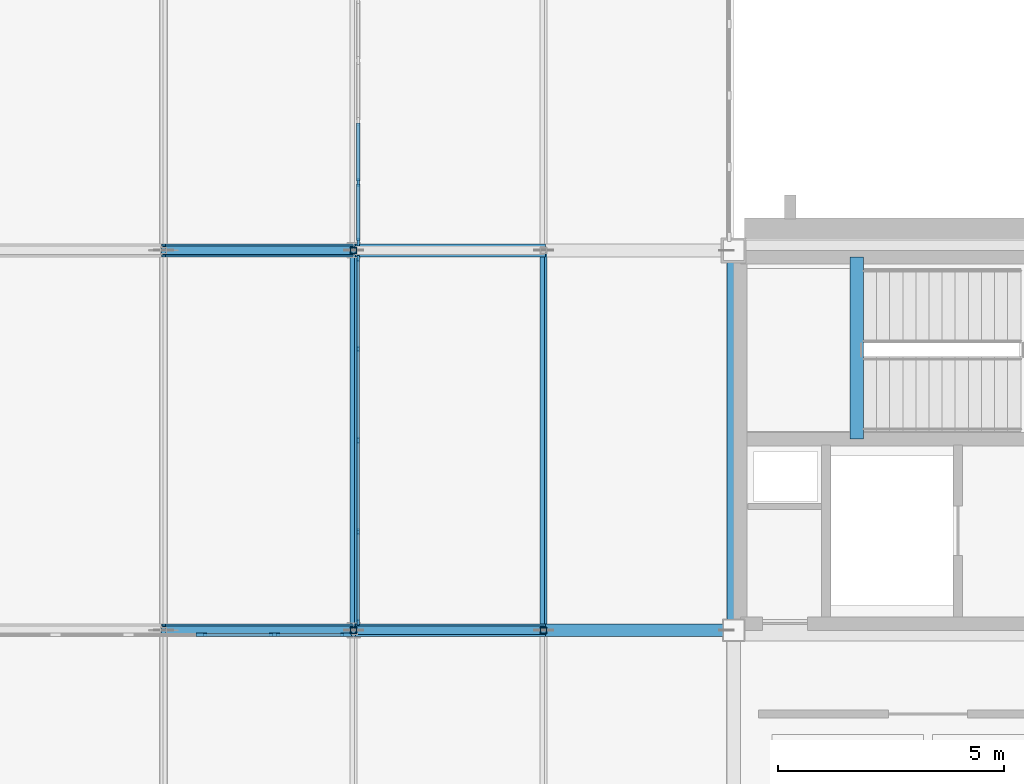
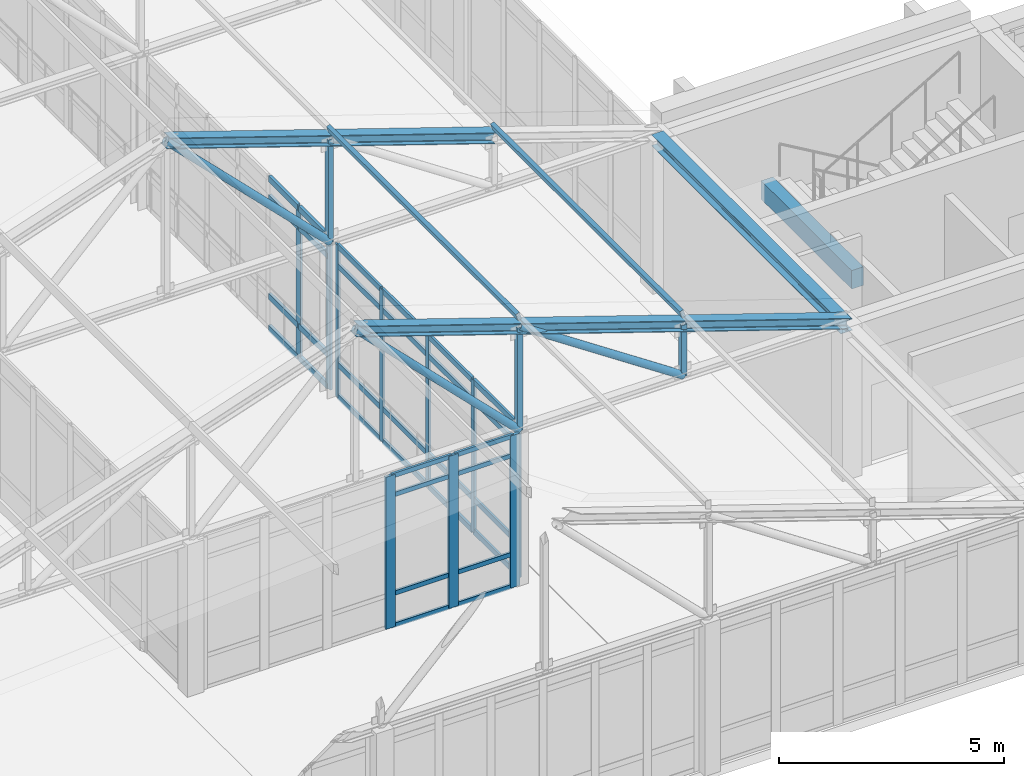
# One storey, part 57 of 192: 55 members, 2 beams, 3 elements without a shape of their own.
"""IFC4 building model written with IfcOpenShell, lengths in metres."""

from ifc_helpers import new_model, si_unit, direction, frame, origin, origin_2d, place, context, subcontext, project, spatial, rectangle, hollow_rectangle, hollow_circle, i_section, extrude, material, layer, layer_set, material_profile, profile_set, type_object, element, aggregate, save


model = new_model("IFC4")

# Units and contexts
model_context = context("Model", 3, precision=1e-05, world=origin(), true_north=direction((0.0, 1.0)))
body_context = subcontext(model_context, "Body", "Model", "MODEL_VIEW")
ifc_project = project(units=[si_unit("LENGTHUNIT", "METRE"), si_unit("AREAUNIT", "SQUARE_METRE"), si_unit("VOLUMEUNIT", "CUBIC_METRE"), si_unit("PLANEANGLEUNIT", "RADIAN"), si_unit("MASSUNIT", "GRAM", prefix="KILO")], contexts=[model_context])

# Site, building, storey
site_placement = place(None, origin())
site = spatial("IfcSite", under=ifc_project, at=site_placement, CompositionType="ELEMENT")
building_placement = place(site_placement, origin())
building = spatial("IfcBuilding", under=site, at=building_placement, Name="Kveldsbrygga Polytechnic", CompositionType="ELEMENT")
storey_placement = place(building_placement, frame((0.0, 0.0, 5.43994140625)))
storey = spatial("IfcBuildingStorey", under=building, at=storey_placement, Name="L01", CompositionType="ELEMENT", Elevation=5.43994140625)

# Beam
ifc_material_1 = material(Name="Steel S355", Category="steel")
ifc_material_profile_1 = material_profile(ifc_material_1, i_section(OverallWidth=0.300048828125, OverallDepth=0.31005859375, WebThickness=0.009033203125, FlangeThickness=0.015380859375, FilletRadius=0.027099609375, at=origin_2d()), Name="HEA 320")
ifc_profile_set_1 = profile_set([ifc_material_profile_1], Name="Steel S355")
beam_type_1 = type_object("IfcBeamType", Name="BM-STL-HEA320", PredefinedType="BEAM", material=ifc_profile_set_1)
beam_1_placement = place(storey_placement, frame((75.60009765625, 16.800048828125, 3.965087890625), z_axis=(0.0, 1.0, 0.0), x_axis=(-1.0, 0.0, 0.0)))
element("IfcBeam", 1, at=beam_1_placement, inside=storey, type_object=beam_type_1, Name="Primary Beam BMY-L01-09-02to03", PredefinedType="BEAM", context=body_context, shape_type="SweptSolid", body=[
    extrude(i_section(OverallWidth=0.300048828125, OverallDepth=0.31005859375, WebThickness=0.009033203125, FlangeThickness=0.015380859375, FilletRadius=0.027099609375, at=origin_2d()), origin(), (0.0, 0.0, 1.0), 8.39990234375),
])

# Curtain wall, members
ifc_material_2 = material(Name="Anodised aluminium AW-6060", Category="aluminium")
ifc_layer_1 = layer(ifc_material_2, 0.199951171875)
ifc_layer_set_1 = layer_set([ifc_layer_1], Name="Anodised aluminium AW-6060")
curtain_wall_type_1 = type_object("IfcCurtainWallType", Name="CW-LANC-E", PredefinedType="USERDEFINED", material=ifc_layer_set_1)
curtain_wall_1_placement = place(storey_placement, origin())
curtain_wall_1 = element("IfcCurtainWall", 2, at=curtain_wall_1_placement, inside=storey, type_object=curtain_wall_type_1, Name="Curtain Wall CW-L01-Y-08-02", ObjectType="UNITISED CURTAIN WALL", PredefinedType="USERDEFINED")
ifc_material_profile_2 = material_profile(ifc_material_2, rectangle(XDim=0.06005859375, YDim=0.139892578125, at=origin_2d()), Name="ALU 60x140")
ifc_profile_set_2 = profile_set([ifc_material_profile_2], Name="Anodised aluminium AW-6060")
member_type_1 = type_object("IfcMemberType", Name="CW-MUL-140", PredefinedType="MULLION", material=ifc_profile_set_2)
member_1_placement = place(storey_placement, frame((67.300048828125, 16.985107421875, 0.0), z_axis=(0.0, 0.0, 1.0), x_axis=(-1.0, 0.0, 0.0)))
member_1 = element("IfcMember", 3, at=member_1_placement, type_object=member_type_1, Name="CW-05 mullion 1", PredefinedType="MULLION", context=body_context, shape_type="SweptSolid", body=[
    extrude(rectangle(XDim=0.06005859375, YDim=0.139892578125, at=origin_2d()), origin(), (0.0, 0.0, 1.0), 4.1201171875),
])
member_2_placement = place(storey_placement, frame((67.300048828125, 18.9775390625, 0.0), z_axis=(0.0, 0.0, 1.0), x_axis=(-1.0, 0.0, 0.0)))
member_2 = element("IfcMember", 4, at=member_2_placement, type_object=member_type_1, Name="CW-05 mullion 2", PredefinedType="MULLION", context=body_context, shape_type="SweptSolid", body=[
    extrude(rectangle(XDim=0.06005859375, YDim=0.139892578125, at=origin_2d()), origin(), (0.0, 0.0, 1.0), 4.1201171875),
])
member_3_placement = place(storey_placement, frame((67.300048828125, 21.0, 0.0), z_axis=(0.0, 0.0, 1.0), x_axis=(-1.0, 0.0, 0.0)))
member_3 = element("IfcMember", 5, at=member_3_placement, type_object=member_type_1, Name="CW-05 mullion 3", PredefinedType="MULLION", context=body_context, shape_type="SweptSolid", body=[
    extrude(rectangle(XDim=0.06005859375, YDim=0.139892578125, at=origin_2d()), origin(), (0.0, 0.0, 1.0), 4.1201171875),
])
member_4_placement = place(storey_placement, frame((67.300048828125, 23.0224609375, 0.0), z_axis=(0.0, 0.0, 1.0), x_axis=(-1.0, 0.0, 0.0)))
member_4 = element("IfcMember", 6, at=member_4_placement, type_object=member_type_1, Name="CW-05 mullion 4", PredefinedType="MULLION", context=body_context, shape_type="SweptSolid", body=[
    extrude(rectangle(XDim=0.06005859375, YDim=0.139892578125, at=origin_2d()), origin(), (0.0, 0.0, 1.0), 4.1201171875),
])
member_5_placement = place(storey_placement, frame((67.300048828125, 25.014892578125, 0.0), z_axis=(0.0, 0.0, 1.0), x_axis=(-1.0, 0.0, 0.0)))
member_5 = element("IfcMember", 7, at=member_5_placement, type_object=member_type_1, Name="CW-05 mullion 5", PredefinedType="MULLION", context=body_context, shape_type="SweptSolid", body=[
    extrude(rectangle(XDim=0.06005859375, YDim=0.139892578125, at=origin_2d()), origin(), (0.0, 0.0, 1.0), 4.1201171875),
])

ifc_layer_2 = layer(ifc_material_2, 0.169921875)
ifc_layer_set_2 = layer_set([ifc_layer_2], Name="Anodised aluminium AW-6060")
curtain_wall_type_2 = type_object("IfcCurtainWallType", Name="CW-FOYR-F", PredefinedType="USERDEFINED", material=ifc_layer_set_2)
curtain_wall_2_placement = place(storey_placement, origin())
curtain_wall_2 = element("IfcCurtainWall", 8, at=curtain_wall_2_placement, inside=storey, type_object=curtain_wall_type_2, Name="Curtain Wall CW-L01-Y-08-03", ObjectType="STICK CURTAIN WALL", PredefinedType="USERDEFINED")
ifc_material_profile_3 = material_profile(ifc_material_2, rectangle(XDim=0.06005859375, YDim=0.179931640625, at=origin_2d()), Name="ALU 60x180")
ifc_profile_set_3 = profile_set([ifc_material_profile_3], Name="Anodised aluminium AW-6060")
member_type_2 = type_object("IfcMemberType", Name="CW-MUL-180", PredefinedType="MULLION", material=ifc_profile_set_3)
member_6_placement = place(storey_placement, frame((67.300048828125, 25.385009765625, 0.0), z_axis=(0.0, 0.0, 1.0), x_axis=(-1.0, 0.0, 0.0)))
member_6 = element("IfcMember", 9, at=member_6_placement, type_object=member_type_2, Name="CW-06 mullion 1", PredefinedType="MULLION", context=body_context, shape_type="SweptSolid", body=[
    extrude(rectangle(XDim=0.06005859375, YDim=0.179931640625, at=origin_2d()), origin(), (0.0, 0.0, 1.0), 4.1201171875),
])
member_7_placement = place(storey_placement, frame((67.300048828125, 26.703369140625, 0.0), z_axis=(0.0, 0.0, 1.0), x_axis=(-1.0, 0.0, 0.0)))
member_7 = element("IfcMember", 10, at=member_7_placement, type_object=member_type_2, Name="CW-06 mullion 2", PredefinedType="MULLION", context=body_context, shape_type="SweptSolid", body=[
    extrude(rectangle(XDim=0.06005859375, YDim=0.179931640625, at=origin_2d()), origin(), (0.0, 0.0, 1.0), 4.1201171875),
])

ifc_layer_3 = layer(ifc_material_2, 0.179931640625)
ifc_layer_set_3 = layer_set([ifc_layer_3], Name="Anodised aluminium AW-6060")
curtain_wall_type_3 = type_object("IfcCurtainWallType", Name="CW-LANC-D", PredefinedType="USERDEFINED", material=ifc_layer_set_3)
curtain_wall_3_placement = place(storey_placement, origin())
curtain_wall_3 = element("IfcCurtainWall", 11, at=curtain_wall_3_placement, inside=storey, type_object=curtain_wall_type_3, Name="Curtain Wall CW-L01-X-07-02", ObjectType="UNITISED CURTAIN WALL", PredefinedType="USERDEFINED")
ifc_material_profile_4 = material_profile(ifc_material_2, rectangle(XDim=0.074951171875, YDim=0.239990234375, at=origin_2d()), Name="ALU 75x240")
ifc_profile_set_4 = profile_set([ifc_material_profile_4], Name="Anodised aluminium AW-6060")
member_type_3 = type_object("IfcMemberType", Name="CW-MUL-240", PredefinedType="MULLION", material=ifc_profile_set_4)
member_8_placement = place(storey_placement, frame((63.8369140625, 16.699951171875, 0.0), z_axis=(0.0, 0.0, 1.0), x_axis=(0.0, 1.0, 0.0)))
member_8 = element("IfcMember", 12, at=member_8_placement, type_object=member_type_3, Name="CW-04 mullion 4", PredefinedType="MULLION", context=body_context, shape_type="SweptSolid", body=[
    extrude(rectangle(XDim=0.074951171875, YDim=0.239990234375, at=origin_2d()), origin(), (0.0, 0.0, 1.0), 4.1201171875),
])
member_9_placement = place(storey_placement, frame((65.450927734375, 16.699951171875, 0.0), z_axis=(0.0, 0.0, 1.0), x_axis=(0.0, 1.0, 0.0)))
member_9 = element("IfcMember", 13, at=member_9_placement, type_object=member_type_3, Name="CW-04 mullion 5", PredefinedType="MULLION", context=body_context, shape_type="SweptSolid", body=[
    extrude(rectangle(XDim=0.074951171875, YDim=0.239990234375, at=origin_2d()), origin(), (0.0, 0.0, 1.0), 4.1201171875),
])
member_10_placement = place(storey_placement, frame((67.027587890625, 16.699951171875, 0.0), z_axis=(0.0, 0.0, 1.0), x_axis=(0.0, 1.0, 0.0)))
member_10 = element("IfcMember", 14, at=member_10_placement, type_object=member_type_3, Name="CW-04 mullion 6", PredefinedType="MULLION", context=body_context, shape_type="SweptSolid", body=[
    extrude(rectangle(XDim=0.074951171875, YDim=0.239990234375, at=origin_2d()), origin(), (0.0, 0.0, 1.0), 4.1201171875),
])
ifc_material_profile_5 = material_profile(ifc_material_2, rectangle(XDim=0.06005859375, YDim=0.1201171875, at=origin_2d()), Name="ALU 60x120")
ifc_profile_set_5 = profile_set([ifc_material_profile_5], Name="Anodised aluminium AW-6060")
member_type_4 = type_object("IfcMemberType", Name="CW-TRN-120", PredefinedType="USERDEFINED", material=ifc_profile_set_5)
member_11_placement = place(storey_placement, frame((63.87451171875, 16.699951171875, 0.030029296875), z_axis=(1.0, 0.0, 0.0), x_axis=(0.0, 1.0, 0.0)))
member_11 = element("IfcMember", 15, at=member_11_placement, type_object=member_type_4, Name="CW-04 transom 4.1", ObjectType="TRANSOM", PredefinedType="USERDEFINED", context=body_context, shape_type="SweptSolid", body=[
    extrude(rectangle(XDim=0.06005859375, YDim=0.1201171875, at=origin_2d()), origin(), (0.0, 0.0, 1.0), 1.5390625),
])
member_12_placement = place(storey_placement, frame((63.87451171875, 16.699951171875, 0.900146484375), z_axis=(1.0, 0.0, 0.0), x_axis=(0.0, 1.0, 0.0)))
member_12 = element("IfcMember", 16, at=member_12_placement, type_object=member_type_4, Name="CW-04 transom 4.2", ObjectType="TRANSOM", PredefinedType="USERDEFINED", context=body_context, shape_type="SweptSolid", body=[
    extrude(rectangle(XDim=0.06005859375, YDim=0.1201171875, at=origin_2d()), origin(), (0.0, 0.0, 1.0), 1.5390625),
])
member_13_placement = place(storey_placement, frame((63.87451171875, 16.699951171875, 3.570068359375), z_axis=(1.0, 0.0, 0.0), x_axis=(0.0, 1.0, 0.0)))
member_13 = element("IfcMember", 17, at=member_13_placement, type_object=member_type_4, Name="CW-04 transom 4.3", ObjectType="TRANSOM", PredefinedType="USERDEFINED", context=body_context, shape_type="SweptSolid", body=[
    extrude(rectangle(XDim=0.06005859375, YDim=0.1201171875, at=origin_2d()), origin(), (0.0, 0.0, 1.0), 1.5390625),
])
member_14_placement = place(storey_placement, frame((63.87451171875, 16.699951171875, 4.090087890625), z_axis=(1.0, 0.0, 0.0), x_axis=(0.0, 1.0, 0.0)))
member_14 = element("IfcMember", 18, at=member_14_placement, type_object=member_type_4, Name="CW-04 transom 4.4", ObjectType="TRANSOM", PredefinedType="USERDEFINED", context=body_context, shape_type="SweptSolid", body=[
    extrude(rectangle(XDim=0.06005859375, YDim=0.1201171875, at=origin_2d()), origin(), (0.0, 0.0, 1.0), 1.5390625),
])
member_15_placement = place(storey_placement, frame((65.488525390625, 16.699951171875, 0.030029296875), z_axis=(1.0, 0.0, 0.0), x_axis=(0.0, 1.0, 0.0)))
member_15 = element("IfcMember", 19, at=member_15_placement, type_object=member_type_4, Name="CW-04 transom 5.1", ObjectType="TRANSOM", PredefinedType="USERDEFINED", context=body_context, shape_type="SweptSolid", body=[
    extrude(rectangle(XDim=0.06005859375, YDim=0.1201171875, at=origin_2d()), origin(), (0.0, 0.0, 1.0), 1.50146484375),
])
member_16_placement = place(storey_placement, frame((65.488525390625, 16.699951171875, 0.900146484375), z_axis=(1.0, 0.0, 0.0), x_axis=(0.0, 1.0, 0.0)))
member_16 = element("IfcMember", 20, at=member_16_placement, type_object=member_type_4, Name="CW-04 transom 5.2", ObjectType="TRANSOM", PredefinedType="USERDEFINED", context=body_context, shape_type="SweptSolid", body=[
    extrude(rectangle(XDim=0.06005859375, YDim=0.1201171875, at=origin_2d()), origin(), (0.0, 0.0, 1.0), 1.50146484375),
])
member_17_placement = place(storey_placement, frame((65.488525390625, 16.699951171875, 3.570068359375), z_axis=(1.0, 0.0, 0.0), x_axis=(0.0, 1.0, 0.0)))
member_17 = element("IfcMember", 21, at=member_17_placement, type_object=member_type_4, Name="CW-04 transom 5.3", ObjectType="TRANSOM", PredefinedType="USERDEFINED", context=body_context, shape_type="SweptSolid", body=[
    extrude(rectangle(XDim=0.06005859375, YDim=0.1201171875, at=origin_2d()), origin(), (0.0, 0.0, 1.0), 1.50146484375),
])
member_18_placement = place(storey_placement, frame((65.488525390625, 16.699951171875, 4.090087890625), z_axis=(1.0, 0.0, 0.0), x_axis=(0.0, 1.0, 0.0)))
member_18 = element("IfcMember", 22, at=member_18_placement, type_object=member_type_4, Name="CW-04 transom 5.4", ObjectType="TRANSOM", PredefinedType="USERDEFINED", context=body_context, shape_type="SweptSolid", body=[
    extrude(rectangle(XDim=0.06005859375, YDim=0.1201171875, at=origin_2d()), origin(), (0.0, 0.0, 1.0), 1.50146484375),
])
aggregate(curtain_wall_3, [member_8, member_9, member_10, member_11, member_12, member_13, member_14, member_15, member_16, member_17, member_18])

# Member
ifc_material_profile_6 = material_profile(ifc_material_2, rectangle(XDim=0.06005859375, YDim=0.14990234375, at=origin_2d()), Name="ALU 60x150")
ifc_profile_set_6 = profile_set([ifc_material_profile_6], Name="Anodised aluminium AW-6060")
member_type_5 = type_object("IfcMemberType", Name="CW-TRN-150", PredefinedType="USERDEFINED", material=ifc_profile_set_6)
member_19_placement = place(storey_placement, frame((67.300048828125, 17.014892578125, 0.030029296875), z_axis=(0.0, 1.0, 0.0), x_axis=(-1.0, 0.0, 0.0)))
member_19 = element("IfcMember", 23, at=member_19_placement, type_object=member_type_5, Name="CW-05 transom 1.1", ObjectType="TRANSOM", PredefinedType="USERDEFINED", context=body_context, shape_type="SweptSolid", body=[
    extrude(rectangle(XDim=0.06005859375, YDim=0.14990234375, at=origin_2d()), origin(), (0.0, 0.0, 1.0), 1.9326171875),
])

member_20_placement = place(storey_placement, frame((67.300048828125, 17.014892578125, 0.900146484375), z_axis=(0.0, 1.0, 0.0), x_axis=(-1.0, 0.0, 0.0)))
member_20 = element("IfcMember", 24, at=member_20_placement, type_object=member_type_5, Name="CW-05 transom 1.2", ObjectType="TRANSOM", PredefinedType="USERDEFINED", context=body_context, shape_type="SweptSolid", body=[
    extrude(rectangle(XDim=0.06005859375, YDim=0.14990234375, at=origin_2d()), origin(), (0.0, 0.0, 1.0), 1.9326171875),
])

member_21_placement = place(storey_placement, frame((67.300048828125, 17.014892578125, 3.570068359375), z_axis=(0.0, 1.0, 0.0), x_axis=(-1.0, 0.0, 0.0)))
member_21 = element("IfcMember", 25, at=member_21_placement, type_object=member_type_5, Name="CW-05 transom 1.3", ObjectType="TRANSOM", PredefinedType="USERDEFINED", context=body_context, shape_type="SweptSolid", body=[
    extrude(rectangle(XDim=0.06005859375, YDim=0.14990234375, at=origin_2d()), origin(), (0.0, 0.0, 1.0), 1.9326171875),
])

member_22_placement = place(storey_placement, frame((67.300048828125, 17.014892578125, 4.090087890625), z_axis=(0.0, 1.0, 0.0), x_axis=(-1.0, 0.0, 0.0)))
member_22 = element("IfcMember", 26, at=member_22_placement, type_object=member_type_5, Name="CW-05 transom 1.4", ObjectType="TRANSOM", PredefinedType="USERDEFINED", context=body_context, shape_type="SweptSolid", body=[
    extrude(rectangle(XDim=0.06005859375, YDim=0.14990234375, at=origin_2d()), origin(), (0.0, 0.0, 1.0), 1.9326171875),
])

member_23_placement = place(storey_placement, frame((67.300048828125, 19.007568359375, 0.030029296875), z_axis=(0.0, 1.0, 0.0), x_axis=(-1.0, 0.0, 0.0)))
member_23 = element("IfcMember", 27, at=member_23_placement, type_object=member_type_5, Name="CW-05 transom 2.1", ObjectType="TRANSOM", PredefinedType="USERDEFINED", context=body_context, shape_type="SweptSolid", body=[
    extrude(rectangle(XDim=0.06005859375, YDim=0.14990234375, at=origin_2d()), origin(), (0.0, 0.0, 1.0), 1.96240234375),
])

member_24_placement = place(storey_placement, frame((67.300048828125, 19.007568359375, 0.900146484375), z_axis=(0.0, 1.0, 0.0), x_axis=(-1.0, 0.0, 0.0)))
member_24 = element("IfcMember", 28, at=member_24_placement, type_object=member_type_5, Name="CW-05 transom 2.2", ObjectType="TRANSOM", PredefinedType="USERDEFINED", context=body_context, shape_type="SweptSolid", body=[
    extrude(rectangle(XDim=0.06005859375, YDim=0.14990234375, at=origin_2d()), origin(), (0.0, 0.0, 1.0), 1.96240234375),
])

member_25_placement = place(storey_placement, frame((67.300048828125, 19.007568359375, 3.570068359375), z_axis=(0.0, 1.0, 0.0), x_axis=(-1.0, 0.0, 0.0)))
member_25 = element("IfcMember", 29, at=member_25_placement, type_object=member_type_5, Name="CW-05 transom 2.3", ObjectType="TRANSOM", PredefinedType="USERDEFINED", context=body_context, shape_type="SweptSolid", body=[
    extrude(rectangle(XDim=0.06005859375, YDim=0.14990234375, at=origin_2d()), origin(), (0.0, 0.0, 1.0), 1.96240234375),
])

member_26_placement = place(storey_placement, frame((67.300048828125, 19.007568359375, 4.090087890625), z_axis=(0.0, 1.0, 0.0), x_axis=(-1.0, 0.0, 0.0)))
member_26 = element("IfcMember", 30, at=member_26_placement, type_object=member_type_5, Name="CW-05 transom 2.4", ObjectType="TRANSOM", PredefinedType="USERDEFINED", context=body_context, shape_type="SweptSolid", body=[
    extrude(rectangle(XDim=0.06005859375, YDim=0.14990234375, at=origin_2d()), origin(), (0.0, 0.0, 1.0), 1.96240234375),
])

member_27_placement = place(storey_placement, frame((67.300048828125, 21.030029296875, 0.030029296875), z_axis=(0.0, 1.0, 0.0), x_axis=(-1.0, 0.0, 0.0)))
member_27 = element("IfcMember", 31, at=member_27_placement, type_object=member_type_5, Name="CW-05 transom 3.1", ObjectType="TRANSOM", PredefinedType="USERDEFINED", context=body_context, shape_type="SweptSolid", body=[
    extrude(rectangle(XDim=0.06005859375, YDim=0.14990234375, at=origin_2d()), origin(), (0.0, 0.0, 1.0), 1.96240234375),
])

member_28_placement = place(storey_placement, frame((67.300048828125, 21.030029296875, 0.900146484375), z_axis=(0.0, 1.0, 0.0), x_axis=(-1.0, 0.0, 0.0)))
member_28 = element("IfcMember", 32, at=member_28_placement, type_object=member_type_5, Name="CW-05 transom 3.2", ObjectType="TRANSOM", PredefinedType="USERDEFINED", context=body_context, shape_type="SweptSolid", body=[
    extrude(rectangle(XDim=0.06005859375, YDim=0.14990234375, at=origin_2d()), origin(), (0.0, 0.0, 1.0), 1.96240234375),
])

member_29_placement = place(storey_placement, frame((67.300048828125, 21.030029296875, 3.570068359375), z_axis=(0.0, 1.0, 0.0), x_axis=(-1.0, 0.0, 0.0)))
member_29 = element("IfcMember", 33, at=member_29_placement, type_object=member_type_5, Name="CW-05 transom 3.3", ObjectType="TRANSOM", PredefinedType="USERDEFINED", context=body_context, shape_type="SweptSolid", body=[
    extrude(rectangle(XDim=0.06005859375, YDim=0.14990234375, at=origin_2d()), origin(), (0.0, 0.0, 1.0), 1.96240234375),
])

member_30_placement = place(storey_placement, frame((67.300048828125, 21.030029296875, 4.090087890625), z_axis=(0.0, 1.0, 0.0), x_axis=(-1.0, 0.0, 0.0)))
member_30 = element("IfcMember", 34, at=member_30_placement, type_object=member_type_5, Name="CW-05 transom 3.4", ObjectType="TRANSOM", PredefinedType="USERDEFINED", context=body_context, shape_type="SweptSolid", body=[
    extrude(rectangle(XDim=0.06005859375, YDim=0.14990234375, at=origin_2d()), origin(), (0.0, 0.0, 1.0), 1.96240234375),
])

member_31_placement = place(storey_placement, frame((67.300048828125, 23.052490234375, 0.030029296875), z_axis=(0.0, 1.0, 0.0), x_axis=(-1.0, 0.0, 0.0)))
member_31 = element("IfcMember", 35, at=member_31_placement, type_object=member_type_5, Name="CW-05 transom 4.1", ObjectType="TRANSOM", PredefinedType="USERDEFINED", context=body_context, shape_type="SweptSolid", body=[
    extrude(rectangle(XDim=0.06005859375, YDim=0.14990234375, at=origin_2d()), origin(), (0.0, 0.0, 1.0), 1.9326171875),
])

member_32_placement = place(storey_placement, frame((67.300048828125, 23.052490234375, 0.900146484375), z_axis=(0.0, 1.0, 0.0), x_axis=(-1.0, 0.0, 0.0)))
member_32 = element("IfcMember", 36, at=member_32_placement, type_object=member_type_5, Name="CW-05 transom 4.2", ObjectType="TRANSOM", PredefinedType="USERDEFINED", context=body_context, shape_type="SweptSolid", body=[
    extrude(rectangle(XDim=0.06005859375, YDim=0.14990234375, at=origin_2d()), origin(), (0.0, 0.0, 1.0), 1.9326171875),
])

member_33_placement = place(storey_placement, frame((67.300048828125, 23.052490234375, 3.570068359375), z_axis=(0.0, 1.0, 0.0), x_axis=(-1.0, 0.0, 0.0)))
member_33 = element("IfcMember", 37, at=member_33_placement, type_object=member_type_5, Name="CW-05 transom 4.3", ObjectType="TRANSOM", PredefinedType="USERDEFINED", context=body_context, shape_type="SweptSolid", body=[
    extrude(rectangle(XDim=0.06005859375, YDim=0.14990234375, at=origin_2d()), origin(), (0.0, 0.0, 1.0), 1.9326171875),
])

member_34_placement = place(storey_placement, frame((67.300048828125, 23.052490234375, 4.090087890625), z_axis=(0.0, 1.0, 0.0), x_axis=(-1.0, 0.0, 0.0)))
member_34 = element("IfcMember", 38, at=member_34_placement, type_object=member_type_5, Name="CW-05 transom 4.4", ObjectType="TRANSOM", PredefinedType="USERDEFINED", context=body_context, shape_type="SweptSolid", body=[
    extrude(rectangle(XDim=0.06005859375, YDim=0.14990234375, at=origin_2d()), origin(), (0.0, 0.0, 1.0), 1.9326171875),
])

aggregate(curtain_wall_1, [member_1, member_2, member_3, member_4, member_5, member_19, member_20, member_21, member_22, member_23, member_24, member_25, member_26, member_27, member_28, member_29, member_30, member_31, member_32, member_33, member_34])

ifc_material_profile_7 = material_profile(ifc_material_2, rectangle(XDim=0.074951171875, YDim=0.159912109375, at=origin_2d()), Name="ALU 75x160")
ifc_profile_set_7 = profile_set([ifc_material_profile_7], Name="Anodised aluminium AW-6060")
member_type_6 = type_object("IfcMemberType", Name="CW-TRN-160", PredefinedType="USERDEFINED", material=ifc_profile_set_7)
member_35_placement = place(storey_placement, frame((67.300048828125, 25.4150390625, 0.03759765625), z_axis=(0.0, 1.0, 0.0), x_axis=(-1.0, 0.0, 0.0)))
member_35 = element("IfcMember", 39, at=member_35_placement, type_object=member_type_6, Name="CW-06 transom 1.1", ObjectType="TRANSOM", PredefinedType="USERDEFINED", context=body_context, shape_type="SweptSolid", body=[
    extrude(rectangle(XDim=0.074951171875, YDim=0.159912109375, at=origin_2d()), origin(), (0.0, 0.0, 1.0), 1.25830078125),
])

member_36_placement = place(storey_placement, frame((67.300048828125, 25.4150390625, 0.900146484375), z_axis=(0.0, 1.0, 0.0), x_axis=(-1.0, 0.0, 0.0)))
member_36 = element("IfcMember", 40, at=member_36_placement, type_object=member_type_6, Name="CW-06 transom 1.2", ObjectType="TRANSOM", PredefinedType="USERDEFINED", context=body_context, shape_type="SweptSolid", body=[
    extrude(rectangle(XDim=0.074951171875, YDim=0.159912109375, at=origin_2d()), origin(), (0.0, 0.0, 1.0), 1.25830078125),
])

member_37_placement = place(storey_placement, frame((67.300048828125, 25.4150390625, 3.570068359375), z_axis=(0.0, 1.0, 0.0), x_axis=(-1.0, 0.0, 0.0)))
member_37 = element("IfcMember", 41, at=member_37_placement, type_object=member_type_6, Name="CW-06 transom 1.3", ObjectType="TRANSOM", PredefinedType="USERDEFINED", context=body_context, shape_type="SweptSolid", body=[
    extrude(rectangle(XDim=0.074951171875, YDim=0.159912109375, at=origin_2d()), origin(), (0.0, 0.0, 1.0), 1.25830078125),
])

member_38_placement = place(storey_placement, frame((67.300048828125, 25.4150390625, 4.08251953125), z_axis=(0.0, 1.0, 0.0), x_axis=(-1.0, 0.0, 0.0)))
member_38 = element("IfcMember", 42, at=member_38_placement, type_object=member_type_6, Name="CW-06 transom 1.4", ObjectType="TRANSOM", PredefinedType="USERDEFINED", context=body_context, shape_type="SweptSolid", body=[
    extrude(rectangle(XDim=0.074951171875, YDim=0.159912109375, at=origin_2d()), origin(), (0.0, 0.0, 1.0), 1.25830078125),
])

member_39_placement = place(storey_placement, frame((67.300048828125, 26.7333984375, 0.03759765625), z_axis=(0.0, 1.0, 0.0), x_axis=(-1.0, 0.0, 0.0)))
member_39 = element("IfcMember", 43, at=member_39_placement, type_object=member_type_6, Name="CW-06 transom 2.1", ObjectType="TRANSOM", PredefinedType="USERDEFINED", context=body_context, shape_type="SweptSolid", body=[
    extrude(rectangle(XDim=0.074951171875, YDim=0.159912109375, at=origin_2d()), origin(), (0.0, 0.0, 1.0), 1.288330078125),
])

member_40_placement = place(storey_placement, frame((67.300048828125, 26.7333984375, 0.900146484375), z_axis=(0.0, 1.0, 0.0), x_axis=(-1.0, 0.0, 0.0)))
member_40 = element("IfcMember", 44, at=member_40_placement, type_object=member_type_6, Name="CW-06 transom 2.2", ObjectType="TRANSOM", PredefinedType="USERDEFINED", context=body_context, shape_type="SweptSolid", body=[
    extrude(rectangle(XDim=0.074951171875, YDim=0.159912109375, at=origin_2d()), origin(), (0.0, 0.0, 1.0), 1.288330078125),
])

member_41_placement = place(storey_placement, frame((67.300048828125, 26.7333984375, 3.570068359375), z_axis=(0.0, 1.0, 0.0), x_axis=(-1.0, 0.0, 0.0)))
member_41 = element("IfcMember", 45, at=member_41_placement, type_object=member_type_6, Name="CW-06 transom 2.3", ObjectType="TRANSOM", PredefinedType="USERDEFINED", context=body_context, shape_type="SweptSolid", body=[
    extrude(rectangle(XDim=0.074951171875, YDim=0.159912109375, at=origin_2d()), origin(), (0.0, 0.0, 1.0), 1.288330078125),
])

member_42_placement = place(storey_placement, frame((67.300048828125, 26.7333984375, 4.08251953125), z_axis=(0.0, 1.0, 0.0), x_axis=(-1.0, 0.0, 0.0)))
member_42 = element("IfcMember", 46, at=member_42_placement, type_object=member_type_6, Name="CW-06 transom 2.4", ObjectType="TRANSOM", PredefinedType="USERDEFINED", context=body_context, shape_type="SweptSolid", body=[
    extrude(rectangle(XDim=0.074951171875, YDim=0.159912109375, at=origin_2d()), origin(), (0.0, 0.0, 1.0), 1.288330078125),
])

aggregate(curtain_wall_2, [member_6, member_7, member_35, member_36, member_37, member_38, member_39, member_40, member_41, member_42])

# Beam
ifc_material_3 = material(Name="Concrete C35/45", Category="concrete")
ifc_material_profile_8 = material_profile(ifc_material_3, rectangle(XDim=0.300048828125, YDim=0.5, at=origin_2d()), Name="RC 300x500")
ifc_profile_set_8 = profile_set([ifc_material_profile_8], Name="Concrete C35/45")
beam_type_2 = type_object("IfcBeamType", Name="LNT-RC-300x500", PredefinedType="LINTEL", material=ifc_profile_set_8)
beam_2_placement = place(storey_placement, frame((78.320068359375, 21.030029296875, 1.760009765625), z_axis=(0.0, 1.0, 0.0), x_axis=(-1.0, 0.0, 0.0)))
element("IfcBeam", 47, at=beam_2_placement, inside=storey, type_object=beam_type_2, Name="Stair Landing Support Beam C6-L01-LNDB-1-1", PredefinedType="LINTEL", context=body_context, shape_type="SweptSolid", body=[
    extrude(rectangle(XDim=0.300048828125, YDim=0.5, at=origin_2d()), origin(), (0.0, 0.0, 1.0), 4.02001953125),
])

# Members
ifc_material_profile_9 = material_profile(ifc_material_1, hollow_rectangle(XDim=0.10009765625, YDim=0.199951171875, WallThickness=0.010009765625, at=origin_2d()), Name="RHS 200x100x10.0")
ifc_profile_set_9 = profile_set([ifc_material_profile_9], Name="Steel S355")
member_type_7 = type_object("IfcMemberType", Name="PRL-RHS200", PredefinedType="PURLIN", material=ifc_profile_set_9)
for number, where, z_axis, x_axis, name in (
    (48, (67.199951171875, 16.800048828125, 7.173095703125), (0.0, 1.0, 0.0), (-0.948683567514, 0.0, -0.316226957624), "Roof Purlin V5C-PRL-2-4"),
    (49, (71.39990234375, 16.800048828125, 5.77294921875), (0.0, 1.0, 0.0), (-0.948683567514, 0.0, -0.316226957624), "Roof Purlin V5C-PRL-2-5"),
):
    element("IfcMember", number, at=place(storey_placement, frame(where, z_axis=z_axis, x_axis=x_axis)), inside=storey, type_object=member_type_7, Name=name, PredefinedType="PURLIN", context=body_context, shape_type="SweptSolid", body=[
        extrude(hollow_rectangle(XDim=0.10009765625, YDim=0.199951171875, WallThickness=0.010009765625, at=origin_2d()), origin(), (0.0, 0.0, 1.0), 8.39990234375),
    ])
ifc_material_profile_10 = material_profile(ifc_material_1, hollow_circle(Radius=0.096923828125, WallThickness=0.010009765625, at=origin_2d()), Name="CHS 193.7x10.0")
ifc_profile_set_10 = profile_set([ifc_material_profile_10], Name="Steel S355")
member_type_8 = type_object("IfcMemberType", Name="TR-DIAG-CHS194", PredefinedType="BRACE", material=ifc_profile_set_10)
member_43_placement = place(storey_placement, frame((63.0, 16.800048828125, 8.320068359375), z_axis=(0.707106781187, 0.0, -0.707106781187), x_axis=(0.0, 1.0, 0.0)))
element("IfcMember", 50, at=member_43_placement, inside=storey, type_object=member_type_8, Name="Truss Diagonal V5C-T02-DG-4", PredefinedType="BRACE", context=body_context, shape_type="SweptSolid", body=[
    extrude(hollow_circle(Radius=0.096923828125, WallThickness=0.010009765625, at=origin_2d()), origin(), (0.0, 0.0, 1.0), 5.939697265625),
])
member_44_placement = place(storey_placement, frame((67.199951171875, 16.800048828125, 6.920166015625), z_axis=(0.832042853317, 0.0, -0.554711357594), x_axis=(0.0, 1.0, 0.0)))
element("IfcMember", 51, at=member_44_placement, inside=storey, type_object=member_type_8, Name="Truss Diagonal V5C-T02-DG-5", PredefinedType="BRACE", context=body_context, shape_type="SweptSolid", body=[
    extrude(hollow_circle(Radius=0.096923828125, WallThickness=0.010009765625, at=origin_2d()), origin(), (0.0, 0.0, 1.0), 5.0478515625),
])
member_45_placement = place(storey_placement, frame((63.0, 25.199951171875, 8.320068359375), z_axis=(0.707106781187, 0.0, -0.707106781187), x_axis=(0.0, 1.0, 0.0)))
element("IfcMember", 52, at=member_45_placement, inside=storey, type_object=member_type_8, Name="Truss Diagonal V5C-T03-DG-4", PredefinedType="BRACE", context=body_context, shape_type="SweptSolid", body=[
    extrude(hollow_circle(Radius=0.096923828125, WallThickness=0.010009765625, at=origin_2d()), origin(), (0.0, 0.0, 1.0), 5.939697265625),
])
ifc_material_profile_11 = material_profile(ifc_material_1, hollow_rectangle(XDim=0.139892578125, YDim=0.139892578125, WallThickness=0.008056640625, at=origin_2d()), Name="SHS 140x140x8.0")
ifc_profile_set_11 = profile_set([ifc_material_profile_11], Name="Steel S355")
member_type_9 = type_object("IfcMemberType", Name="TR-POST-SHS140", PredefinedType="STRUT", material=ifc_profile_set_11)
member_46_placement = place(storey_placement, frame((67.199951171875, 16.800048828125, 4.1201171875), z_axis=(0.0, 0.0, 1.0), x_axis=(1.0, 0.0, 0.0)))
element("IfcMember", 53, at=member_46_placement, inside=storey, type_object=member_type_9, Name="Truss Vertical V5C-T02-VT-4", PredefinedType="STRUT", context=body_context, shape_type="SweptSolid", body=[
    extrude(hollow_rectangle(XDim=0.139892578125, YDim=0.139892578125, WallThickness=0.008056640625, at=origin_2d()), origin(), (0.0, 0.0, 1.0), 2.800048828125),
])
member_47_placement = place(storey_placement, frame((71.39990234375, 16.800048828125, 4.1201171875), z_axis=(0.0, 0.0, 1.0), x_axis=(1.0, 0.0, 0.0)))
element("IfcMember", 54, at=member_47_placement, inside=storey, type_object=member_type_9, Name="Truss Vertical V5C-T02-VT-5", PredefinedType="STRUT", context=body_context, shape_type="SweptSolid", body=[
    extrude(hollow_rectangle(XDim=0.139892578125, YDim=0.139892578125, WallThickness=0.008056640625, at=origin_2d()), origin(), (0.0, 0.0, 1.0), 1.39990234375),
])
member_48_placement = place(storey_placement, frame((67.199951171875, 25.199951171875, 4.1201171875), z_axis=(0.0, 0.0, 1.0), x_axis=(1.0, 0.0, 0.0)))
element("IfcMember", 55, at=member_48_placement, inside=storey, type_object=member_type_9, Name="Truss Vertical V5C-T03-VT-4", PredefinedType="STRUT", context=body_context, shape_type="SweptSolid", body=[
    extrude(hollow_rectangle(XDim=0.139892578125, YDim=0.139892578125, WallThickness=0.008056640625, at=origin_2d()), origin(), (0.0, 0.0, 1.0), 2.800048828125),
])
ifc_material_profile_12 = material_profile(ifc_material_1, i_section(OverallWidth=0.280029296875, OverallDepth=0.280029296875, WebThickness=0.010498046875, FlangeThickness=0.01806640625, FilletRadius=0.02392578125, at=origin_2d()), Name="HEB 280")
ifc_profile_set_12 = profile_set([ifc_material_profile_12], Name="Steel S355")
member_type_10 = type_object("IfcMemberType", Name="TR-TOP-HEB280", PredefinedType="CHORD", material=ifc_profile_set_12)
member_49_placement = place(storey_placement, frame((63.0, 16.800048828125, 8.320068359375), z_axis=(0.948688812577, 0.0, -0.316211221956), x_axis=(0.0, 1.0, 0.0)))
element("IfcMember", 56, at=member_49_placement, inside=storey, type_object=member_type_10, Name="Truss Top Chord V5C-T02-TC-4", PredefinedType="CHORD", context=body_context, shape_type="SweptSolid", body=[
    extrude(i_section(OverallWidth=0.280029296875, OverallDepth=0.280029296875, WebThickness=0.010498046875, FlangeThickness=0.01806640625, FilletRadius=0.02392578125, at=origin_2d()), origin(), (0.0, 0.0, 1.0), 4.427001953125),
])
for number, where, z_axis, x_axis, name in (
    (57, (67.199951171875, 16.800048828125, 6.920166015625), (0.948672268324, 0.0, -0.316260853272), (0.0, 1.0, 0.0), "Truss Top Chord V5C-T02-TC-5"),
    (58, (71.39990234375, 16.800048828125, 5.52001953125), (0.948694326238, 0.0, -0.316194679531), (0.0, 1.0, 0.0), "Truss Top Chord V5C-T02-TC-6"),
):
    element("IfcMember", number, at=place(storey_placement, frame(where, z_axis=z_axis, x_axis=x_axis)), inside=storey, type_object=member_type_10, Name=name, PredefinedType="CHORD", context=body_context, shape_type="SweptSolid", body=[
        extrude(i_section(OverallWidth=0.280029296875, OverallDepth=0.280029296875, WebThickness=0.010498046875, FlangeThickness=0.01806640625, FilletRadius=0.02392578125, at=origin_2d()), origin(), (0.0, 0.0, 1.0), 4.42724609375),
    ])
member_50_placement = place(storey_placement, frame((63.0, 25.199951171875, 8.320068359375), z_axis=(0.948688812577, 0.0, -0.316211221956), x_axis=(0.0, 1.0, 0.0)))
element("IfcMember", 59, at=member_50_placement, inside=storey, type_object=member_type_10, Name="Truss Top Chord V5C-T03-TC-4", PredefinedType="CHORD", context=body_context, shape_type="SweptSolid", body=[
    extrude(i_section(OverallWidth=0.280029296875, OverallDepth=0.280029296875, WebThickness=0.010498046875, FlangeThickness=0.01806640625, FilletRadius=0.02392578125, at=origin_2d()), origin(), (0.0, 0.0, 1.0), 4.427001953125),
])
member_51_placement = place(storey_placement, frame((67.199951171875, 25.199951171875, 6.920166015625), z_axis=(0.948672268324, 0.0, -0.316260853272), x_axis=(0.0, 1.0, 0.0)))
element("IfcMember", 60, at=member_51_placement, inside=storey, type_object=member_type_10, Name="Truss Top Chord V5C-T03-TC-5", PredefinedType="CHORD", context=body_context, shape_type="SweptSolid", body=[
    extrude(i_section(OverallWidth=0.280029296875, OverallDepth=0.280029296875, WebThickness=0.010498046875, FlangeThickness=0.01806640625, FilletRadius=0.02392578125, at=origin_2d()), origin(), (0.0, 0.0, 1.0), 4.42724609375),
])

save(model, "model.ifc")
